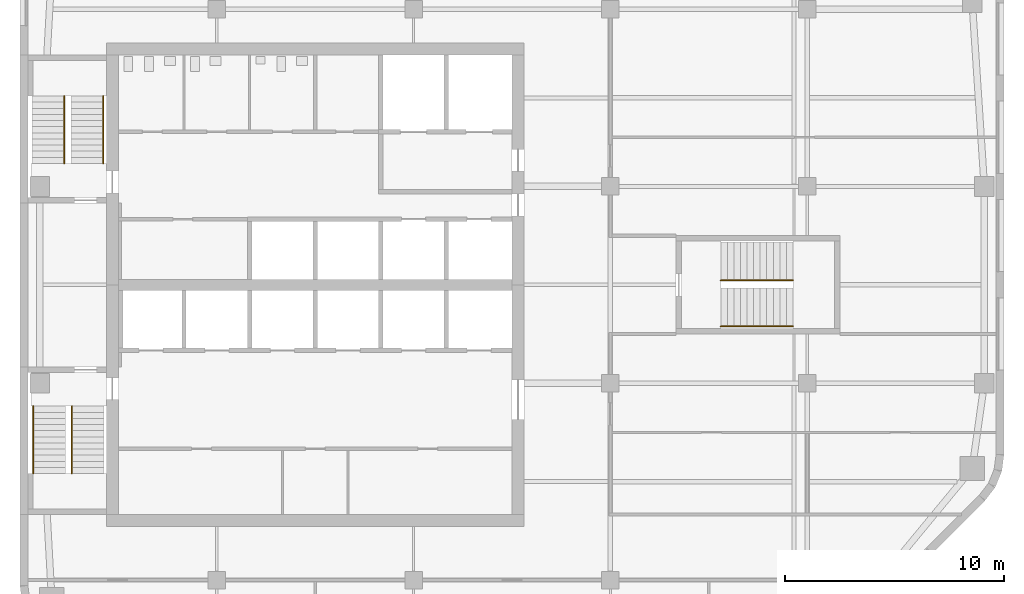
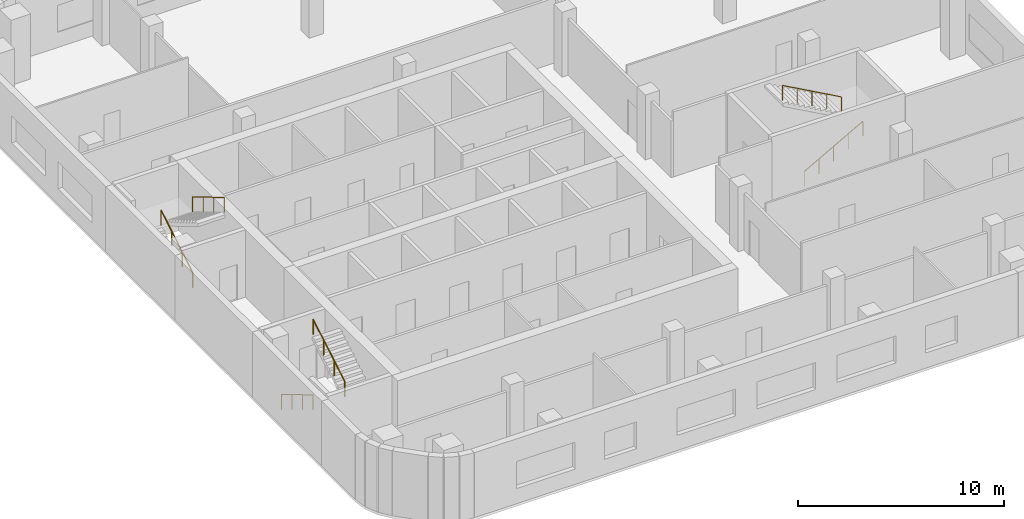
# One storey, part 6 of 7: 6 railings, 3 elements without a shape of their own.
"""IFC4 building model written with IfcOpenShell, lengths in metres."""

from ifc_helpers import new_model, si_unit, direction, frame, origin, origin_2d, place, context, subcontext, project, spatial, circle, extrude, material, type_object, element, aggregate, save


model = new_model("IFC4")

# Units and contexts
model_context = context("Model", 3, precision=1e-05, world=origin(), true_north=direction((0.0, 1.0)))
body_context = subcontext(model_context, "Body", "Model", "MODEL_VIEW")
ifc_project = project(units=[si_unit("LENGTHUNIT", "METRE"), si_unit("AREAUNIT", "SQUARE_METRE"), si_unit("VOLUMEUNIT", "CUBIC_METRE"), si_unit("PLANEANGLEUNIT", "RADIAN"), si_unit("MASSUNIT", "GRAM", prefix="KILO")], contexts=[model_context])

# Site, building, storey
site_placement = place(None, origin())
site = spatial("IfcSite", under=ifc_project, at=site_placement, CompositionType="ELEMENT")
building_placement = place(site_placement, origin())
building = spatial("IfcBuilding", under=site, at=building_placement, Name="Cinnabar Reach Civic Tower", CompositionType="ELEMENT")
storey_placement = place(building_placement, frame((0.0, 0.0, 230.0)))
storey = spatial("IfcBuildingStorey", under=building, at=storey_placement, Name="L55", CompositionType="ELEMENT", Elevation=230.0)

# Stair, railings
ifc_material_1 = material(Name="Concrete C40/50", Category="concrete")
stair_type = type_object("IfcStairType", Name="T1 Exit stair, half-turn", PredefinedType="HALF_TURN_STAIR", material=ifc_material_1)
stair_1_placement = place(storey_placement, origin())
stair_1 = element("IfcStair", 1, at=stair_1_placement, inside=storey, type_object=stair_type, Name="Stair T1-S1", PredefinedType="HALF_TURN_STAIR")
ifc_material_2 = material(Name="Stainless steel tube", Category="steel")
railing_type = type_object("IfcRailingType", Name="T1 Stair handrail, stainless tube 48", PredefinedType="HANDRAIL", material=ifc_material_2)
railing_1_placement = place(storey_placement, frame((0.6, 25.95, 0.1667)))
railing_1 = element("IfcRailing", 2, at=railing_1_placement, type_object=railing_type, Name="T1-S1 handrail 1", PredefinedType="HANDRAIL", context=body_context, shape_type="SweptSolid", body=[
    extrude(circle(Radius=0.024, at=origin_2d()), frame((0.0, 0.0, 0.876), z_axis=(0.0, -0.859296971757, 0.511476992962), x_axis=(1.0, 0.0, 0.0)), (0.0, 0.0, 1.0), 3.5843),
    extrude(circle(Radius=0.021, at=origin_2d()), origin(), (0.0, 0.0, 1.0), 0.852),
    extrude(circle(Radius=0.021, at=origin_2d()), frame((0.0, -1.0267, 0.6111)), (0.0, 0.0, 1.0), 0.852),
    extrude(circle(Radius=0.021, at=origin_2d()), frame((0.0, -2.0533, 1.2222)), (0.0, 0.0, 1.0), 0.852),
    extrude(circle(Radius=0.021, at=origin_2d()), frame((0.0, -3.08, 1.8333)), (0.0, 0.0, 1.0), 0.852),
])
railing_2_placement = place(storey_placement, frame((2.375, 22.87, 2.1667)))
railing_2 = element("IfcRailing", 3, at=railing_2_placement, type_object=railing_type, Name="T1-S1 handrail 2", PredefinedType="HANDRAIL", context=body_context, shape_type="SweptSolid", body=[
    extrude(circle(Radius=0.024, at=origin_2d()), frame((0.0, 0.0, 0.876), z_axis=(0.0, 0.859296971757, 0.511476992962), x_axis=(-1.0, 0.0, 0.0)), (0.0, 0.0, 1.0), 3.5843),
    extrude(circle(Radius=0.021, at=origin_2d()), origin(), (0.0, 0.0, 1.0), 0.852),
    extrude(circle(Radius=0.021, at=origin_2d()), frame((0.0, 1.0267, 0.6111)), (0.0, 0.0, 1.0), 0.852),
    extrude(circle(Radius=0.021, at=origin_2d()), frame((0.0, 2.0533, 1.2222)), (0.0, 0.0, 1.0), 0.852),
    extrude(circle(Radius=0.021, at=origin_2d()), frame((0.0, 3.08, 1.8333)), (0.0, 0.0, 1.0), 0.852),
])
aggregate(stair_1, [railing_1, railing_2])

stair_2_placement = place(storey_placement, origin())
stair_2 = element("IfcStair", 4, at=stair_2_placement, inside=storey, type_object=stair_type, Name="Stair T1-S2", PredefinedType="HALF_TURN_STAIR")
railing_3_placement = place(storey_placement, frame((2.025, 37.05, 0.1667)))
railing_3 = element("IfcRailing", 5, at=railing_3_placement, type_object=railing_type, Name="T1-S2 handrail 1", PredefinedType="HANDRAIL", context=body_context, shape_type="SweptSolid", body=[
    extrude(circle(Radius=0.024, at=origin_2d()), frame((0.0, 0.0, 0.876), z_axis=(0.0, 0.859296971757, 0.511476992962), x_axis=(-1.0, 0.0, 0.0)), (0.0, 0.0, 1.0), 3.5843),
    extrude(circle(Radius=0.021, at=origin_2d()), origin(), (0.0, 0.0, 1.0), 0.852),
    extrude(circle(Radius=0.021, at=origin_2d()), frame((0.0, 1.0267, 0.6111)), (0.0, 0.0, 1.0), 0.852),
    extrude(circle(Radius=0.021, at=origin_2d()), frame((0.0, 2.0533, 1.2222)), (0.0, 0.0, 1.0), 0.852),
    extrude(circle(Radius=0.021, at=origin_2d()), frame((0.0, 3.08, 1.8333)), (0.0, 0.0, 1.0), 0.852),
])
railing_4_placement = place(storey_placement, frame((3.8, 40.13, 2.1667)))
railing_4 = element("IfcRailing", 6, at=railing_4_placement, type_object=railing_type, Name="T1-S2 handrail 2", PredefinedType="HANDRAIL", context=body_context, shape_type="SweptSolid", body=[
    extrude(circle(Radius=0.024, at=origin_2d()), frame((0.0, 0.0, 0.876), z_axis=(0.0, -0.859296971757, 0.511476992962), x_axis=(1.0, 0.0, 0.0)), (0.0, 0.0, 1.0), 3.5843),
    extrude(circle(Radius=0.021, at=origin_2d()), origin(), (0.0, 0.0, 1.0), 0.852),
    extrude(circle(Radius=0.021, at=origin_2d()), frame((0.0, -1.0267, 0.6111)), (0.0, 0.0, 1.0), 0.852),
    extrude(circle(Radius=0.021, at=origin_2d()), frame((0.0, -2.0533, 1.2222)), (0.0, 0.0, 1.0), 0.852),
    extrude(circle(Radius=0.021, at=origin_2d()), frame((0.0, -3.08, 1.8333)), (0.0, 0.0, 1.0), 0.852),
])
aggregate(stair_2, [railing_3, railing_4])

stair_3_placement = place(storey_placement, origin())
stair_3 = element("IfcStair", 7, at=stair_3_placement, inside=storey, type_object=stair_type, Name="Stair T1-S3", PredefinedType="HALF_TURN_STAIR")
railing_5_placement = place(storey_placement, frame((32.05, 29.6, 0.1667)))
railing_5 = element("IfcRailing", 8, at=railing_5_placement, type_object=railing_type, Name="T1-S3 handrail 1", PredefinedType="HANDRAIL", context=body_context, shape_type="SweptSolid", body=[
    extrude(circle(Radius=0.024, at=origin_2d()), frame((0.0, 0.0, 0.876), z_axis=(0.874161024642, 0.0, 0.485636183781), x_axis=(0.0, 1.0, 0.0)), (0.0, 0.0, 1.0), 3.775),
    extrude(circle(Radius=0.021, at=origin_2d()), origin(), (0.0, 0.0, 1.0), 0.852),
    extrude(circle(Radius=0.021, at=origin_2d()), frame((0.825, 0.0, 0.4583)), (0.0, 0.0, 1.0), 0.852),
    extrude(circle(Radius=0.021, at=origin_2d()), frame((1.65, 0.0, 0.9167)), (0.0, 0.0, 1.0), 0.852),
    extrude(circle(Radius=0.021, at=origin_2d()), frame((2.475, 0.0, 1.375)), (0.0, 0.0, 1.0), 0.852),
    extrude(circle(Radius=0.021, at=origin_2d()), frame((3.3, 0.0, 1.8333)), (0.0, 0.0, 1.0), 0.852),
])
railing_6_placement = place(storey_placement, frame((35.35, 31.7, 2.1667)))
railing_6 = element("IfcRailing", 9, at=railing_6_placement, type_object=railing_type, Name="T1-S3 handrail 2", PredefinedType="HANDRAIL", context=body_context, shape_type="SweptSolid", body=[
    extrude(circle(Radius=0.024, at=origin_2d()), frame((0.0, 0.0, 0.876), z_axis=(-0.874161024642, 0.0, 0.485636183781), x_axis=(0.0, -1.0, 0.0)), (0.0, 0.0, 1.0), 3.775),
    extrude(circle(Radius=0.021, at=origin_2d()), origin(), (0.0, 0.0, 1.0), 0.852),
    extrude(circle(Radius=0.021, at=origin_2d()), frame((-0.825, 0.0, 0.4583)), (0.0, 0.0, 1.0), 0.852),
    extrude(circle(Radius=0.021, at=origin_2d()), frame((-1.65, 0.0, 0.9167)), (0.0, 0.0, 1.0), 0.852),
    extrude(circle(Radius=0.021, at=origin_2d()), frame((-2.475, 0.0, 1.375)), (0.0, 0.0, 1.0), 0.852),
    extrude(circle(Radius=0.021, at=origin_2d()), frame((-3.3, 0.0, 1.8333)), (0.0, 0.0, 1.0), 0.852),
])
aggregate(stair_3, [railing_5, railing_6])

save(model, "model.ifc")
